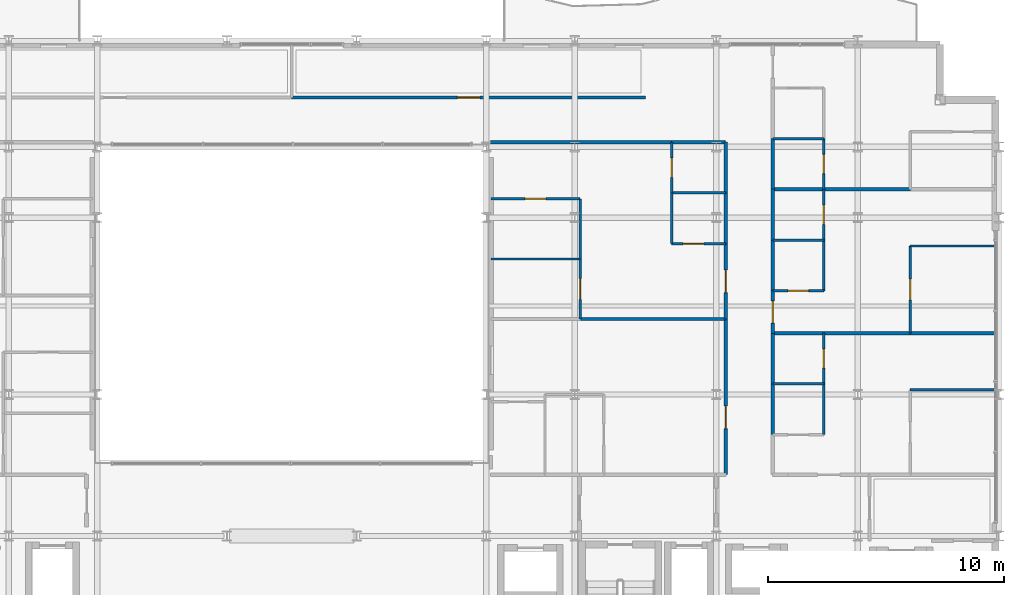
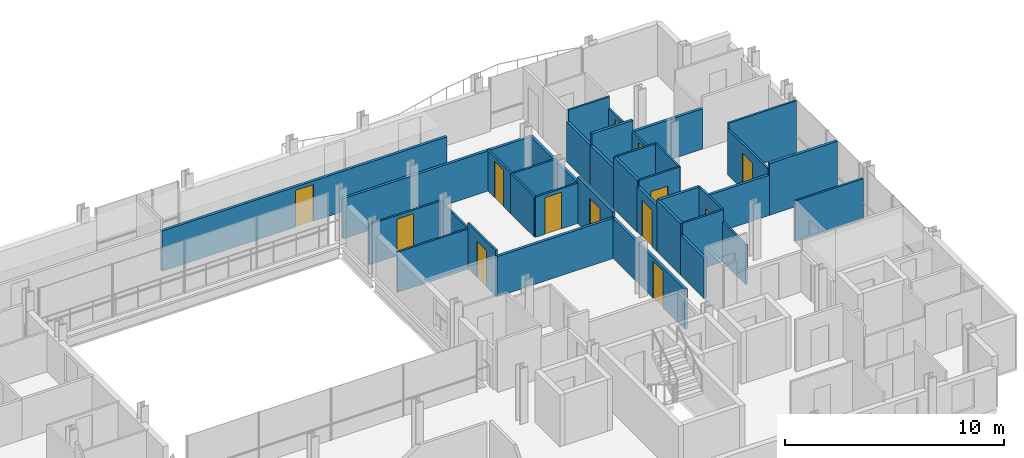
# One storey, part 36 of 41: 39 walls, 13 doors, 13 openings.
"""IFC4 building model written with IfcOpenShell, lengths in metres."""

from ifc_helpers import new_model, si_unit, direction, frame, frame_2d, origin, place, context, subcontext, project, spatial, rectangle, extrude, material, layer, layer_set, type_object, element, fill, save


model = new_model("IFC4")

# Units and contexts
model_context = context("Model", 3, precision=1e-05, world=origin(), true_north=direction((0.0, 1.0)))
body_context = subcontext(model_context, "Body", "Model", "MODEL_VIEW")
ifc_project = project(units=[si_unit("LENGTHUNIT", "METRE"), si_unit("AREAUNIT", "SQUARE_METRE"), si_unit("VOLUMEUNIT", "CUBIC_METRE"), si_unit("PLANEANGLEUNIT", "RADIAN"), si_unit("MASSUNIT", "GRAM", prefix="KILO")], contexts=[model_context])

# Site, building, storey
site_placement = place(None, origin())
site = spatial("IfcSite", under=ifc_project, at=site_placement, CompositionType="ELEMENT")
building_placement = place(site_placement, origin())
building = spatial("IfcBuilding", under=site, at=building_placement, Name="Brevholm Reach", CompositionType="ELEMENT")
storey_placement = place(building_placement, frame((0.0, 0.0, 106.60009765625)))
storey = spatial("IfcBuildingStorey", under=building, at=storey_placement, Name="L31", CompositionType="ELEMENT", Elevation=106.60009765625)

# Wall
ifc_material_1 = material(Name="Moisture-Resistant Acoustic Gypsum Stud Partition 100 mm", Category="gypsum")
ifc_layer_1 = layer(ifc_material_1, 0.10009765625)
ifc_layer_set_1 = layer_set([ifc_layer_1], Name="Moisture-Resistant Acoustic Gypsum Stud Partition 100 mm")
wall_type_1 = type_object("IfcWallType", Name="WAL-PRT-100", PredefinedType="PARTITIONING", material=ifc_layer_set_1)
wall_1_placement = place(storey_placement, frame((46.112060546875, 24.550048828125, 0.0), z_axis=(0.0, 0.0, 1.0), x_axis=(1.0, 0.0, 0.0)))
element("IfcWall", 1, at=wall_1_placement, inside=storey, type_object=wall_type_1, Name="L31 Internal Partition 136", PredefinedType="PARTITIONING", context=body_context, shape_type="SweptSolid", body=[
    extrude(rectangle(XDim=2.283935546875, YDim=0.10009765625, at=frame_2d((1.14208984375, 0.0))), origin(), (0.0, 0.0, 1.0), 2.24267578125),
])

# Wall, opening, door
wall_2_placement = place(storey_placement, frame((46.112060546875, 24.550048828125, 0.0), z_axis=(0.0, 0.0, 1.0), x_axis=(0.0, 1.0, 0.0)))
wall_2 = element("IfcWall", 2, at=wall_2_placement, inside=storey, type_object=wall_type_1, Name="L31 Internal Partition 137", PredefinedType="PARTITIONING", context=body_context, shape_type="SweptSolid", body=[
    extrude(rectangle(XDim=2.14599609375, YDim=0.10009765625, at=frame_2d((1.072998046875, 0.0))), origin(), (0.0, 0.0, 1.0), 2.24267578125),
])
opening_1_placement = place(wall_2_placement, frame((0.6630859375, 0.0, 0.0)))
opening_1 = element("IfcOpeningElement", 3, at=opening_1_placement, cuts=wall_2, Name="Opening ID-03", PredefinedType="OPENING", context=body_context, shape_type="SweptSolid", body=[
    extrude(rectangle(XDim=0.820068359375, YDim=2.02001953125, at=frame_2d((0.41015625, 1.010009765625))), frame((0.0, 0.06005859375, 0.0), z_axis=(0.0, -1.0, 0.0), x_axis=(1.0, 0.0, 0.0)), (0.0, 0.0, 1.0), 0.1201171875),
])
ifc_material_2 = material(Name="Moisture-Resistant Painted Timber Internal Bathroom Door", Category="wood")
door_type_1 = type_object("IfcDoorType", Name="DOR-BATH-820", OperationType="NOTDEFINED", PredefinedType="DOOR", material=ifc_material_2)
door_1_placement = place(opening_1_placement, origin())
door_1 = element("IfcDoor", 4, at=door_1_placement, inside=storey, type_object=door_type_1, Name="L31 Internal Door 052", OperationType="SINGLE_SWING_LEFT", OverallHeight=2.02001953125, OverallWidth=0.820068359375, PredefinedType="DOOR", context=body_context, shape_type="SweptSolid", body=[
    extrude(rectangle(XDim=0.820068359375, YDim=2.02001953125, at=frame_2d((0.41015625, 1.010009765625))), frame((0.0, 0.02490234375, 0.0), z_axis=(0.0, -1.0, 0.0), x_axis=(1.0, 0.0, 0.0)), (0.0, 0.0, 1.0), 0.050048828125),
])
fill(opening_1, door_1)

wall_3_placement = place(storey_placement, frame((46.112060546875, 22.39990234375, 0.0), z_axis=(0.0, 0.0, 1.0), x_axis=(1.0, 0.0, 0.0)))
wall_3 = element("IfcWall", 5, at=wall_3_placement, inside=storey, type_object=wall_type_1, Name="L31 Internal Partition 138", PredefinedType="PARTITIONING", context=body_context, shape_type="SweptSolid", body=[
    extrude(rectangle(XDim=2.283935546875, YDim=0.10009765625, at=frame_2d((1.14208984375, 0.0))), origin(), (0.0, 0.0, 1.0), 2.24267578125),
])
opening_2_placement = place(wall_3_placement, frame((0.48193359375, 0.0, 0.0)))
opening_2 = element("IfcOpeningElement", 6, at=opening_2_placement, cuts=wall_3, Name="Opening ID-01", PredefinedType="OPENING", context=body_context, shape_type="SweptSolid", body=[
    extrude(rectangle(XDim=0.8798828125, YDim=2.0400390625, at=frame_2d((0.43994140625, 1.02001953125))), frame((0.0, 0.06005859375, 0.0), z_axis=(0.0, -1.0, 0.0), x_axis=(1.0, 0.0, 0.0)), (0.0, 0.0, 1.0), 0.1201171875),
])
ifc_material_3 = material(Name="Lacquered Ash Solid-Core Acoustic Internal Door", Category="timber")
door_type_2 = type_object("IfcDoorType", Name="DOR-INT-880", OperationType="NOTDEFINED", PredefinedType="DOOR", material=ifc_material_3)
door_2_placement = place(opening_2_placement, origin())
door_2 = element("IfcDoor", 7, at=door_2_placement, inside=storey, type_object=door_type_2, Name="L31 Internal Door 053", OperationType="SINGLE_SWING_RIGHT", OverallHeight=2.0400390625, OverallWidth=0.8798828125, PredefinedType="DOOR", context=body_context, shape_type="SweptSolid", body=[
    extrude(rectangle(XDim=0.8798828125, YDim=2.0400390625, at=frame_2d((0.43994140625, 1.02001953125))), frame((0.0, 0.02490234375, 0.0), z_axis=(0.0, -1.0, 0.0), x_axis=(1.0, 0.0, 0.0)), (0.0, 0.0, 1.0), 0.050048828125),
])
fill(opening_2, door_2)

# Walls
wall_4_placement = place(storey_placement, frame((46.112060546875, 22.39990234375, 0.0), z_axis=(0.0, 0.0, 1.0), x_axis=(0.0, 1.0, 0.0)))
element("IfcWall", 8, at=wall_4_placement, inside=storey, type_object=wall_type_1, Name="L31 Internal Partition 139", PredefinedType="PARTITIONING", context=body_context, shape_type="SweptSolid", body=[
    extrude(rectangle(XDim=2.14599609375, YDim=0.10009765625, at=frame_2d((1.072998046875, 0.0))), origin(), (0.0, 0.0, 1.0), 2.24267578125),
])
wall_5_placement = place(storey_placement, frame((38.449951171875, 21.75, 0.0), z_axis=(0.0, 0.0, 1.0), x_axis=(1.0, 0.0, 0.0)))
element("IfcWall", 9, at=wall_5_placement, inside=storey, type_object=wall_type_1, Name="L31 Internal Partition 140", PredefinedType="PARTITIONING", context=body_context, shape_type="SweptSolid", body=[
    extrude(rectangle(XDim=3.781005859375, YDim=0.10009765625, at=frame_2d((1.890625, 0.0))), origin(), (0.0, 0.0, 1.0), 2.24267578125),
])

# Wall, opening, door
wall_6_placement = place(storey_placement, frame((42.23095703125, 19.2041015625, 0.0), z_axis=(0.0, 0.0, 1.0), x_axis=(0.0, 1.0, 0.0)))
wall_6 = element("IfcWall", 10, at=wall_6_placement, inside=storey, type_object=wall_type_1, Name="L31 Internal Partition 141", PredefinedType="PARTITIONING", context=body_context, shape_type="SweptSolid", body=[
    extrude(rectangle(XDim=2.5458984375, YDim=0.10009765625, at=frame_2d((1.27294921875, 0.0))), origin(), (0.0, 0.0, 1.0), 2.551513671875),
])
opening_3_placement = place(wall_6_placement, frame((0.8330078125, 0.0, 0.0)))
opening_3 = element("IfcOpeningElement", 11, at=opening_3_placement, cuts=wall_6, Name="Opening ID-01", PredefinedType="OPENING", context=body_context, shape_type="SweptSolid", body=[
    extrude(rectangle(XDim=0.8798828125, YDim=2.0400390625, at=frame_2d((0.43994140625, 1.02001953125))), frame((0.0, 0.06005859375, 0.0), z_axis=(0.0, -1.0, 0.0), x_axis=(1.0, 0.0, 0.0)), (0.0, 0.0, 1.0), 0.1201171875),
])
door_3_placement = place(opening_3_placement, origin())
door_3 = element("IfcDoor", 12, at=door_3_placement, inside=storey, type_object=door_type_2, Name="L31 Internal Door 054", OperationType="SINGLE_SWING_LEFT", OverallHeight=2.0400390625, OverallWidth=0.8798828125, PredefinedType="DOOR", context=body_context, shape_type="SweptSolid", body=[
    extrude(rectangle(XDim=0.8798828125, YDim=2.0400390625, at=frame_2d((0.43994140625, 1.02001953125))), frame((0.0, 0.02490234375, 0.0), z_axis=(0.0, -1.0, 0.0), x_axis=(1.0, 0.0, 0.0)), (0.0, 0.0, 1.0), 0.050048828125),
])
fill(opening_3, door_3)

# Wall
wall_7_placement = place(storey_placement, frame((42.23095703125, 21.75390625, 0.0), z_axis=(0.0, 0.0, 1.0), x_axis=(0.0, 1.0, 0.0)))
element("IfcWall", 13, at=wall_7_placement, inside=storey, type_object=wall_type_1, Name="L31 Internal Partition 142", PredefinedType="PARTITIONING", context=body_context, shape_type="SweptSolid", body=[
    extrude(rectangle(XDim=2.546142578125, YDim=0.10009765625, at=frame_2d((1.27294921875, 0.0))), origin(), (0.0, 0.0, 1.0), 2.24267578125),
])

# Wall, opening, door
wall_8_placement = place(storey_placement, frame((38.449951171875, 24.300048828125, 0.0), z_axis=(0.0, 0.0, 1.0), x_axis=(1.0, 0.0, 0.0)))
wall_8 = element("IfcWall", 14, at=wall_8_placement, inside=storey, type_object=wall_type_1, Name="L31 Internal Partition 143", PredefinedType="PARTITIONING", context=body_context, shape_type="SweptSolid", body=[
    extrude(rectangle(XDim=3.781005859375, YDim=0.10009765625, at=frame_2d((1.890625, 0.0))), origin(), (0.0, 0.0, 1.0), 2.24267578125),
])
opening_4_placement = place(wall_8_placement, frame((1.450439453125, 0.0, 0.0)))
opening_4 = element("IfcOpeningElement", 15, at=opening_4_placement, cuts=wall_8, Name="Opening ID-01", PredefinedType="OPENING", context=body_context, shape_type="SweptSolid", body=[
    extrude(rectangle(XDim=0.8798828125, YDim=2.0400390625, at=frame_2d((0.43994140625, 1.02001953125))), frame((0.0, 0.06005859375, 0.0), z_axis=(0.0, -1.0, 0.0), x_axis=(1.0, 0.0, 0.0)), (0.0, 0.0, 1.0), 0.1201171875),
])
door_4_placement = place(opening_4_placement, origin())
door_4 = element("IfcDoor", 16, at=door_4_placement, inside=storey, type_object=door_type_2, Name="L31 Internal Door 055", OperationType="SINGLE_SWING_RIGHT", OverallHeight=2.0400390625, OverallWidth=0.8798828125, PredefinedType="DOOR", context=body_context, shape_type="SweptSolid", body=[
    extrude(rectangle(XDim=0.8798828125, YDim=2.0400390625, at=frame_2d((0.43994140625, 1.02001953125))), frame((0.0, 0.02490234375, 0.0), z_axis=(0.0, -1.0, 0.0), x_axis=(1.0, 0.0, 0.0)), (0.0, 0.0, 1.0), 0.050048828125),
])
fill(opening_4, door_4)

# Wall
wall_9_placement = place(storey_placement, frame((50.404052734375, 16.449951171875, 0.0), z_axis=(0.0, 0.0, 1.0), x_axis=(1.0, 0.0, 0.0)))
element("IfcWall", 17, at=wall_9_placement, inside=storey, type_object=wall_type_1, Name="L31 Internal Partition 144", PredefinedType="PARTITIONING", context=body_context, shape_type="SweptSolid", body=[
    extrude(rectangle(XDim=2.157958984375, YDim=0.10009765625, at=frame_2d((1.0791015625, 0.0))), origin(), (0.0, 0.0, 1.0), 2.8798828125),
])

# Wall, opening, door
wall_10_placement = place(storey_placement, frame((52.56201171875, 16.449951171875, 0.0), z_axis=(0.0, 0.0, 1.0), x_axis=(0.0, 1.0, 0.0)))
wall_10 = element("IfcWall", 18, at=wall_10_placement, inside=storey, type_object=wall_type_1, Name="L31 Internal Partition 145", PredefinedType="PARTITIONING", context=body_context, shape_type="SweptSolid", body=[
    extrude(rectangle(XDim=2.150146484375, YDim=0.10009765625, at=frame_2d((1.0751953125, 0.0))), origin(), (0.0, 0.0, 1.0), 2.8798828125),
])
opening_5_placement = place(wall_10_placement, frame((0.6650390625, 0.0, 0.0)))
opening_5 = element("IfcOpeningElement", 19, at=opening_5_placement, cuts=wall_10, Name="Opening ID-03", PredefinedType="OPENING", context=body_context, shape_type="SweptSolid", body=[
    extrude(rectangle(XDim=0.820068359375, YDim=2.02001953125, at=frame_2d((0.41015625, 1.010009765625))), frame((0.0, 0.06005859375, 0.0), z_axis=(0.0, -1.0, 0.0), x_axis=(1.0, 0.0, 0.0)), (0.0, 0.0, 1.0), 0.1201171875),
])
door_5_placement = place(opening_5_placement, origin())
door_5 = element("IfcDoor", 20, at=door_5_placement, inside=storey, type_object=door_type_1, Name="L31 Internal Door 056", OperationType="SINGLE_SWING_LEFT", OverallHeight=2.02001953125, OverallWidth=0.820068359375, PredefinedType="DOOR", context=body_context, shape_type="SweptSolid", body=[
    extrude(rectangle(XDim=0.820068359375, YDim=2.02001953125, at=frame_2d((0.41015625, 1.010009765625))), frame((0.0, 0.02490234375, 0.0), z_axis=(0.0, -1.0, 0.0), x_axis=(1.0, 0.0, 0.0)), (0.0, 0.0, 1.0), 0.050048828125),
])
fill(opening_5, door_5)

# Walls
wall_11_placement = place(storey_placement, frame((52.56201171875, 14.300048828125, 0.0), z_axis=(0.0, 0.0, 1.0), x_axis=(0.0, 1.0, 0.0)))
element("IfcWall", 21, at=wall_11_placement, inside=storey, type_object=wall_type_1, Name="L31 Internal Partition 148", PredefinedType="PARTITIONING", context=body_context, shape_type="SweptSolid", body=[
    extrude(rectangle(XDim=2.14599609375, YDim=0.10009765625, at=frame_2d((1.072998046875, 0.0))), origin(), (0.0, 0.0, 1.0), 2.24267578125),
])
wall_12_placement = place(storey_placement, frame((56.22802734375, 16.199951171875, 0.0), z_axis=(0.0, 0.0, 1.0), x_axis=(1.0, 0.0, 0.0)))
element("IfcWall", 22, at=wall_12_placement, inside=storey, type_object=wall_type_1, Name="L31 Internal Partition 149", PredefinedType="PARTITIONING", context=body_context, shape_type="SweptSolid", body=[
    extrude(rectangle(XDim=3.572021484375, YDim=0.10009765625, at=frame_2d((1.7861328125, 0.0))), origin(), (0.0, 0.0, 1.0), 2.24267578125),
])
wall_13_placement = place(storey_placement, frame((50.404052734375, 22.550048828125, 0.0), z_axis=(0.0, 0.0, 1.0), x_axis=(1.0, 0.0, 0.0)))
element("IfcWall", 23, at=wall_13_placement, inside=storey, type_object=wall_type_1, Name="L31 Internal Partition 153", PredefinedType="PARTITIONING", context=body_context, shape_type="SweptSolid", body=[
    extrude(rectangle(XDim=2.157958984375, YDim=0.10009765625, at=frame_2d((1.0791015625, 0.0))), origin(), (0.0, 0.0, 1.0), 2.8798828125),
])

# Wall, opening, door
wall_14_placement = place(storey_placement, frame((52.56201171875, 22.550048828125, 0.0), z_axis=(0.0, 0.0, 1.0), x_axis=(0.0, 1.0, 0.0)))
wall_14 = element("IfcWall", 24, at=wall_14_placement, inside=storey, type_object=wall_type_1, Name="L31 Internal Partition 154", PredefinedType="PARTITIONING", context=body_context, shape_type="SweptSolid", body=[
    extrude(rectangle(XDim=2.14990234375, YDim=0.10009765625, at=frame_2d((1.074951171875, 0.0))), origin(), (0.0, 0.0, 1.0), 2.24267578125),
])
opening_6_placement = place(wall_14_placement, frame((0.6650390625, 0.0, 0.0)))
opening_6 = element("IfcOpeningElement", 25, at=opening_6_placement, cuts=wall_14, Name="Opening ID-03", PredefinedType="OPENING", context=body_context, shape_type="SweptSolid", body=[
    extrude(rectangle(XDim=0.820068359375, YDim=2.02001953125, at=frame_2d((0.41015625, 1.010009765625))), frame((0.0, 0.06005859375, 0.0), z_axis=(0.0, -1.0, 0.0), x_axis=(1.0, 0.0, 0.0)), (0.0, 0.0, 1.0), 0.1201171875),
])
door_6_placement = place(opening_6_placement, origin())
door_6 = element("IfcDoor", 26, at=door_6_placement, inside=storey, type_object=door_type_1, Name="L31 Internal Door 059", OperationType="SINGLE_SWING_RIGHT", OverallHeight=2.02001953125, OverallWidth=0.820068359375, PredefinedType="DOOR", context=body_context, shape_type="SweptSolid", body=[
    extrude(rectangle(XDim=0.820068359375, YDim=2.02001953125, at=frame_2d((0.41015625, 1.010009765625))), frame((0.0, 0.02490234375, 0.0), z_axis=(0.0, -1.0, 0.0), x_axis=(1.0, 0.0, 0.0)), (0.0, 0.0, 1.0), 0.050048828125),
])
fill(opening_6, door_6)

wall_15_placement = place(storey_placement, frame((50.404052734375, 20.39990234375, 0.0), z_axis=(0.0, 0.0, 1.0), x_axis=(1.0, 0.0, 0.0)))
wall_15 = element("IfcWall", 27, at=wall_15_placement, inside=storey, type_object=wall_type_1, Name="L31 Internal Partition 156", PredefinedType="PARTITIONING", context=body_context, shape_type="SweptSolid", body=[
    extrude(rectangle(XDim=2.157958984375, YDim=0.10009765625, at=frame_2d((1.0791015625, 0.0))), origin(), (0.0, 0.0, 1.0), 2.8798828125),
])
opening_7_placement = place(wall_15_placement, frame((0.638916015625, 0.0, 0.0)))
opening_7 = element("IfcOpeningElement", 28, at=opening_7_placement, cuts=wall_15, Name="Opening ID-01", PredefinedType="OPENING", context=body_context, shape_type="SweptSolid", body=[
    extrude(rectangle(XDim=0.8798828125, YDim=2.0400390625, at=frame_2d((0.43994140625, 1.02001953125))), frame((0.0, 0.06005859375, 0.0), z_axis=(0.0, -1.0, 0.0), x_axis=(1.0, 0.0, 0.0)), (0.0, 0.0, 1.0), 0.1201171875),
])
door_7_placement = place(opening_7_placement, origin())
door_7 = element("IfcDoor", 29, at=door_7_placement, inside=storey, type_object=door_type_2, Name="L31 Internal Door 060", OperationType="SINGLE_SWING_LEFT", OverallHeight=2.0400390625, OverallWidth=0.8798828125, PredefinedType="DOOR", context=body_context, shape_type="SweptSolid", body=[
    extrude(rectangle(XDim=0.8798828125, YDim=2.0400390625, at=frame_2d((0.43994140625, 1.02001953125))), frame((0.0, 0.02490234375, 0.0), z_axis=(0.0, -1.0, 0.0), x_axis=(1.0, 0.0, 0.0)), (0.0, 0.0, 1.0), 0.050048828125),
])
fill(opening_7, door_7)

# Walls
wall_16_placement = place(storey_placement, frame((52.56201171875, 20.39990234375, 0.0), z_axis=(0.0, 0.0, 1.0), x_axis=(0.0, 1.0, 0.0)))
element("IfcWall", 30, at=wall_16_placement, inside=storey, type_object=wall_type_1, Name="L31 Internal Partition 157", PredefinedType="PARTITIONING", context=body_context, shape_type="SweptSolid", body=[
    extrude(rectangle(XDim=2.14599609375, YDim=0.10009765625, at=frame_2d((1.072998046875, 0.0))), origin(), (0.0, 0.0, 1.0), 2.8798828125),
])
wall_17_placement = place(storey_placement, frame((56.22802734375, 22.300048828125, 0.0), z_axis=(0.0, 0.0, 1.0), x_axis=(1.0, 0.0, 0.0)))
element("IfcWall", 31, at=wall_17_placement, inside=storey, type_object=wall_type_1, Name="L31 Internal Partition 158", PredefinedType="PARTITIONING", context=body_context, shape_type="SweptSolid", body=[
    extrude(rectangle(XDim=3.572021484375, YDim=0.10009765625, at=frame_2d((1.7861328125, 0.0))), origin(), (0.0, 0.0, 1.0), 2.8798828125),
])

# Wall, opening, door
wall_18_placement = place(storey_placement, frame((56.22802734375, 18.60400390625, 0.0), z_axis=(0.0, 0.0, 1.0), x_axis=(0.0, 1.0, 0.0)))
wall_18 = element("IfcWall", 32, at=wall_18_placement, inside=storey, type_object=wall_type_1, Name="L31 Internal Partition 159", PredefinedType="PARTITIONING", context=body_context, shape_type="SweptSolid", body=[
    extrude(rectangle(XDim=3.696044921875, YDim=0.10009765625, at=frame_2d((1.84814453125, 0.0))), origin(), (0.0, 0.0, 1.0), 2.551513671875),
])
opening_8_placement = place(wall_18_placement, frame((1.407958984375, 0.0, 0.0)))
opening_8 = element("IfcOpeningElement", 33, at=opening_8_placement, cuts=wall_18, Name="Opening ID-01", PredefinedType="OPENING", context=body_context, shape_type="SweptSolid", body=[
    extrude(rectangle(XDim=0.8798828125, YDim=2.0400390625, at=frame_2d((0.43994140625, 1.02001953125))), frame((0.0, 0.06005859375, 0.0), z_axis=(0.0, -1.0, 0.0), x_axis=(1.0, 0.0, 0.0)), (0.0, 0.0, 1.0), 0.1201171875),
])
door_8_placement = place(opening_8_placement, origin())
door_8 = element("IfcDoor", 34, at=door_8_placement, inside=storey, type_object=door_type_2, Name="L31 Internal Door 061", OperationType="SINGLE_SWING_RIGHT", OverallHeight=2.0400390625, OverallWidth=0.8798828125, PredefinedType="DOOR", context=body_context, shape_type="SweptSolid", body=[
    extrude(rectangle(XDim=0.8798828125, YDim=2.0400390625, at=frame_2d((0.43994140625, 1.02001953125))), frame((0.0, 0.02490234375, 0.0), z_axis=(0.0, -1.0, 0.0), x_axis=(1.0, 0.0, 0.0)), (0.0, 0.0, 1.0), 0.050048828125),
])
fill(opening_8, door_8)

# Wall
wall_19_placement = place(storey_placement, frame((50.404052734375, 26.85009765625, 0.0), z_axis=(0.0, 0.0, 1.0), x_axis=(1.0, 0.0, 0.0)))
element("IfcWall", 35, at=wall_19_placement, inside=storey, type_object=wall_type_1, Name="L31 Internal Partition 162", PredefinedType="PARTITIONING", context=body_context, shape_type="SweptSolid", body=[
    extrude(rectangle(XDim=2.157958984375, YDim=0.10009765625, at=frame_2d((1.0791015625, 0.0))), origin(), (0.0, 0.0, 1.0), 2.8798828125),
])

# Wall, opening, door
wall_20_placement = place(storey_placement, frame((52.56201171875, 24.7041015625, 0.0), z_axis=(0.0, 0.0, 1.0), x_axis=(0.0, 1.0, 0.0)))
wall_20 = element("IfcWall", 36, at=wall_20_placement, inside=storey, type_object=wall_type_1, Name="L31 Internal Partition 163", PredefinedType="PARTITIONING", context=body_context, shape_type="SweptSolid", body=[
    extrude(rectangle(XDim=2.14599609375, YDim=0.10009765625, at=frame_2d((1.072998046875, 0.0))), origin(), (0.0, 0.0, 1.0), 2.24267578125),
])
opening_9_placement = place(wall_20_placement, frame((0.6630859375, 0.0, 0.0)))
opening_9 = element("IfcOpeningElement", 37, at=opening_9_placement, cuts=wall_20, Name="Opening ID-03", PredefinedType="OPENING", context=body_context, shape_type="SweptSolid", body=[
    extrude(rectangle(XDim=0.820068359375, YDim=2.02001953125, at=frame_2d((0.41015625, 1.010009765625))), frame((0.0, 0.06005859375, 0.0), z_axis=(0.0, -1.0, 0.0), x_axis=(1.0, 0.0, 0.0)), (0.0, 0.0, 1.0), 0.1201171875),
])
door_9_placement = place(opening_9_placement, origin())
door_9 = element("IfcDoor", 38, at=door_9_placement, inside=storey, type_object=door_type_1, Name="L31 Internal Door 062", OperationType="SINGLE_SWING_LEFT", OverallHeight=2.02001953125, OverallWidth=0.820068359375, PredefinedType="DOOR", context=body_context, shape_type="SweptSolid", body=[
    extrude(rectangle(XDim=0.820068359375, YDim=2.02001953125, at=frame_2d((0.41015625, 1.010009765625))), frame((0.0, 0.02490234375, 0.0), z_axis=(0.0, -1.0, 0.0), x_axis=(1.0, 0.0, 0.0)), (0.0, 0.0, 1.0), 0.050048828125),
])
fill(opening_9, door_9)

ifc_material_4 = material(Name="Twin-Stud Acoustic Fire-Rated Gypsum Partition 140 mm", Category="gypsum")
ifc_layer_2 = layer(ifc_material_4, 0.139892578125)
ifc_layer_set_2 = layer_set([ifc_layer_2], Name="Twin-Stud Acoustic Fire-Rated Gypsum Partition 140 mm")
wall_type_2 = type_object("IfcWallType", Name="WAL-PRT-140", PredefinedType="PARTITIONING", material=ifc_layer_set_2)
wall_21_placement = place(storey_placement, frame((48.39990234375, 12.60400390625, 0.0), z_axis=(0.0, 0.0, 1.0), x_axis=(0.0, 1.0, 0.0)))
wall_21 = element("IfcWall", 39, at=wall_21_placement, inside=storey, type_object=wall_type_2, Name="L31 Internal Partition 048", PredefinedType="PARTITIONING", context=body_context, shape_type="SweptSolid", body=[
    extrude(rectangle(XDim=6.607177734375, YDim=0.139892578125, at=frame_2d((3.3037109375, 0.0))), origin(), (0.0, 0.0, 1.0), 2.24267578125),
])
opening_10_placement = place(wall_21_placement, frame((1.94873046875, 0.0, 0.0)))
opening_10 = element("IfcOpeningElement", 40, at=opening_10_placement, cuts=wall_21, Name="Opening ID-30", PredefinedType="OPENING", context=body_context, shape_type="SweptSolid", body=[
    extrude(rectangle(XDim=0.949951171875, YDim=2.050048828125, at=frame_2d((0.47509765625, 1.02490234375))), frame((0.0, 0.079833984375, 0.0), z_axis=(0.0, -1.0, 0.0), x_axis=(1.0, 0.0, 0.0)), (0.0, 0.0, 1.0), 0.159912109375),
])
ifc_material_5 = material(Name="European Oak Veneered Solid-Core Fire Entrance Door", Category="timber")
door_type_3 = type_object("IfcDoorType", Name="DOR-FLT-FD30S", OperationType="NOTDEFINED", PredefinedType="DOOR", material=ifc_material_5)
door_10_placement = place(opening_10_placement, origin())
door_10 = element("IfcDoor", 41, at=door_10_placement, inside=storey, type_object=door_type_3, Name="L31 Internal Door 022", OperationType="SINGLE_SWING_LEFT", OverallHeight=2.050048828125, OverallWidth=0.949951171875, PredefinedType="DOOR", context=body_context, shape_type="SweptSolid", body=[
    extrude(rectangle(XDim=0.949951171875, YDim=2.050048828125, at=frame_2d((0.47509765625, 1.02490234375))), frame((0.0, 0.02490234375, 0.0), z_axis=(0.0, -1.0, 0.0), x_axis=(1.0, 0.0, 0.0)), (0.0, 0.0, 1.0), 0.050048828125),
])
fill(opening_10, door_10)

# Walls
wall_22_placement = place(storey_placement, frame((48.39990234375, 24.538818359375, 0.0), z_axis=(0.0, 0.0, 1.0), x_axis=(0.0, 1.0, 0.0)))
element("IfcWall", 42, at=wall_22_placement, inside=storey, type_object=wall_type_2, Name="L31 Internal Partition 049", PredefinedType="PARTITIONING", context=body_context, shape_type="SweptSolid", body=[
    extrude(rectangle(XDim=2.16845703125, YDim=0.139892578125, at=frame_2d((1.084228515625, 0.0))), origin(), (0.0, 0.0, 1.0), 2.24267578125),
])
wall_23_placement = place(storey_placement, frame((48.39990234375, 22.388671875, 0.0), z_axis=(0.0, 0.0, 1.0), x_axis=(0.0, 1.0, 0.0)))
element("IfcWall", 43, at=wall_23_placement, inside=storey, type_object=wall_type_2, Name="L31 Internal Partition 050", PredefinedType="PARTITIONING", context=body_context, shape_type="SweptSolid", body=[
    extrude(rectangle(XDim=2.168701171875, YDim=0.139892578125, at=frame_2d((1.08447265625, 0.0))), origin(), (0.0, 0.0, 1.0), 2.24267578125),
])

# Wall, opening, door
wall_24_placement = place(storey_placement, frame((48.39990234375, 19.192626953125, 0.0), z_axis=(0.0, 0.0, 1.0), x_axis=(0.0, 1.0, 0.0)))
wall_24 = element("IfcWall", 44, at=wall_24_placement, inside=storey, type_object=wall_type_2, Name="L31 Internal Partition 051", PredefinedType="PARTITIONING", context=body_context, shape_type="SweptSolid", body=[
    extrude(rectangle(XDim=3.214599609375, YDim=0.139892578125, at=frame_2d((1.607421875, 0.0))), origin(), (0.0, 0.0, 1.0), 2.551513671875),
])
opening_11_placement = place(wall_24_placement, frame((1.13232421875, 0.0, 0.0)))
opening_11 = element("IfcOpeningElement", 45, at=opening_11_placement, cuts=wall_24, Name="Opening ID-30", PredefinedType="OPENING", context=body_context, shape_type="SweptSolid", body=[
    extrude(rectangle(XDim=0.949951171875, YDim=2.050048828125, at=frame_2d((0.47509765625, 1.02490234375))), frame((0.0, 0.079833984375, 0.0), z_axis=(0.0, -1.0, 0.0), x_axis=(1.0, 0.0, 0.0)), (0.0, 0.0, 1.0), 0.159912109375),
])
door_11_placement = place(opening_11_placement, origin())
door_11 = element("IfcDoor", 46, at=door_11_placement, inside=storey, type_object=door_type_3, Name="L31 Internal Door 023", OperationType="SINGLE_SWING_RIGHT", OverallHeight=2.050048828125, OverallWidth=0.949951171875, PredefinedType="DOOR", context=body_context, shape_type="SweptSolid", body=[
    extrude(rectangle(XDim=0.949951171875, YDim=2.050048828125, at=frame_2d((0.47509765625, 1.02490234375))), frame((0.0, 0.02490234375, 0.0), z_axis=(0.0, -1.0, 0.0), x_axis=(1.0, 0.0, 0.0)), (0.0, 0.0, 1.0), 0.050048828125),
])
fill(opening_11, door_11)

# Walls
wall_25_placement = place(storey_placement, frame((50.39990234375, 16.438720703125, 0.0), z_axis=(0.0, 0.0, 1.0), x_axis=(0.0, 1.0, 0.0)))
element("IfcWall", 47, at=wall_25_placement, inside=storey, type_object=wall_type_2, Name="L31 Internal Partition 052", PredefinedType="PARTITIONING", context=body_context, shape_type="SweptSolid", body=[
    extrude(rectangle(XDim=2.172607421875, YDim=0.139892578125, at=frame_2d((1.08642578125, 0.0))), origin(), (0.0, 0.0, 1.0), 2.8798828125),
])
wall_26_placement = place(storey_placement, frame((50.39990234375, 14.288818359375, 0.0), z_axis=(0.0, 0.0, 1.0), x_axis=(0.0, 1.0, 0.0)))
element("IfcWall", 48, at=wall_26_placement, inside=storey, type_object=wall_type_2, Name="L31 Internal Partition 053", PredefinedType="PARTITIONING", context=body_context, shape_type="SweptSolid", body=[
    extrude(rectangle(XDim=2.16845703125, YDim=0.139892578125, at=frame_2d((1.084228515625, 0.0))), origin(), (0.0, 0.0, 1.0), 2.24267578125),
])
wall_27_placement = place(storey_placement, frame((50.39990234375, 22.538818359375, 0.0), z_axis=(0.0, 0.0, 1.0), x_axis=(0.0, 1.0, 0.0)))
element("IfcWall", 49, at=wall_27_placement, inside=storey, type_object=wall_type_2, Name="L31 Internal Partition 055", PredefinedType="PARTITIONING", context=body_context, shape_type="SweptSolid", body=[
    extrude(rectangle(XDim=2.17236328125, YDim=0.139892578125, at=frame_2d((1.086181640625, 0.0))), origin(), (0.0, 0.0, 1.0), 2.24267578125),
])
wall_28_placement = place(storey_placement, frame((50.39990234375, 20.388671875, 0.0), z_axis=(0.0, 0.0, 1.0), x_axis=(0.0, 1.0, 0.0)))
element("IfcWall", 50, at=wall_28_placement, inside=storey, type_object=wall_type_2, Name="L31 Internal Partition 056", PredefinedType="PARTITIONING", context=body_context, shape_type="SweptSolid", body=[
    extrude(rectangle(XDim=2.168701171875, YDim=0.139892578125, at=frame_2d((1.08447265625, 0.0))), origin(), (0.0, 0.0, 1.0), 2.8798828125),
])

# Wall, opening, door
wall_29_placement = place(storey_placement, frame((50.39990234375, 18.5927734375, 0.0), z_axis=(0.0, 0.0, 1.0), x_axis=(0.0, 1.0, 0.0)))
wall_29 = element("IfcWall", 51, at=wall_29_placement, inside=storey, type_object=wall_type_2, Name="L31 Internal Partition 057", PredefinedType="PARTITIONING", context=body_context, shape_type="SweptSolid", body=[
    extrude(rectangle(XDim=1.814453125, YDim=0.139892578125, at=frame_2d((0.9072265625, 0.0))), origin(), (0.0, 0.0, 1.0), 2.551513671875),
])
opening_12_placement = place(wall_29_placement, frame((0.432373046875, 0.0, 0.0)))
opening_12 = element("IfcOpeningElement", 52, at=opening_12_placement, cuts=wall_29, Name="Opening ID-30", PredefinedType="OPENING", context=body_context, shape_type="SweptSolid", body=[
    extrude(rectangle(XDim=0.949951171875, YDim=2.050048828125, at=frame_2d((0.47509765625, 1.02490234375))), frame((0.0, 0.079833984375, 0.0), z_axis=(0.0, -1.0, 0.0), x_axis=(1.0, 0.0, 0.0)), (0.0, 0.0, 1.0), 0.159912109375),
])
door_12_placement = place(opening_12_placement, origin())
door_12 = element("IfcDoor", 53, at=door_12_placement, inside=storey, type_object=door_type_3, Name="L31 Internal Door 024", OperationType="SINGLE_SWING_LEFT", OverallHeight=2.050048828125, OverallWidth=0.949951171875, PredefinedType="DOOR", context=body_context, shape_type="SweptSolid", body=[
    extrude(rectangle(XDim=0.949951171875, YDim=2.050048828125, at=frame_2d((0.47509765625, 1.02490234375))), frame((0.0, 0.02490234375, 0.0), z_axis=(0.0, -1.0, 0.0), x_axis=(1.0, 0.0, 0.0)), (0.0, 0.0, 1.0), 0.050048828125),
])
fill(opening_12, door_12)

# Walls
wall_30_placement = place(storey_placement, frame((50.39990234375, 24.692626953125, 0.0), z_axis=(0.0, 0.0, 1.0), x_axis=(0.0, 1.0, 0.0)))
element("IfcWall", 54, at=wall_30_placement, inside=storey, type_object=wall_type_2, Name="L31 Internal Partition 058", PredefinedType="PARTITIONING", context=body_context, shape_type="SweptSolid", body=[
    extrude(rectangle(XDim=2.168701171875, YDim=0.139892578125, at=frame_2d((1.08447265625, 0.0))), origin(), (0.0, 0.0, 1.0), 2.24267578125),
])
wall_31_placement = place(storey_placement, frame((46.1005859375, 26.699951171875, 0.0), z_axis=(0.0, 0.0, 1.0), x_axis=(1.0, 0.0, 0.0)))
element("IfcWall", 55, at=wall_31_placement, inside=storey, type_object=wall_type_2, Name="L31 Internal Partition 063", PredefinedType="PARTITIONING", context=body_context, shape_type="SweptSolid", body=[
    extrude(rectangle(XDim=2.29541015625, YDim=0.139892578125, at=frame_2d((1.147705078125, 0.0))), origin(), (0.0, 0.0, 1.0), 2.24267578125),
])
wall_32_placement = place(storey_placement, frame((38.438720703125, 26.699951171875, 0.0), z_axis=(0.0, 0.0, 1.0), x_axis=(1.0, 0.0, 0.0)))
element("IfcWall", 56, at=wall_32_placement, inside=storey, type_object=wall_type_2, Name="L31 Internal Partition 064", PredefinedType="PARTITIONING", context=body_context, shape_type="SweptSolid", body=[
    extrude(rectangle(XDim=7.6806640625, YDim=0.139892578125, at=frame_2d((3.84033203125, 0.0))), origin(), (0.0, 0.0, 1.0), 2.24267578125),
])

# Wall, opening, door
wall_33_placement = place(storey_placement, frame((29.99267578125, 28.60009765625, 0.0), z_axis=(0.0, 0.0, 1.0), x_axis=(1.0, 0.0, 0.0)))
wall_33 = element("IfcWall", 57, at=wall_33_placement, inside=storey, type_object=wall_type_2, Name="L31 Internal Partition 066", PredefinedType="PARTITIONING", context=body_context, shape_type="SweptSolid", body=[
    extrude(rectangle(XDim=15.0185546875, YDim=0.139892578125, at=frame_2d((7.50927734375, 0.0))), origin(), (0.0, 0.0, 1.0), 2.24267578125),
])
opening_13_placement = place(wall_33_placement, frame((7.0341796875, 0.0, 0.0)))
opening_13 = element("IfcOpeningElement", 58, at=opening_13_placement, cuts=wall_33, Name="Opening ID-30", PredefinedType="OPENING", context=body_context, shape_type="SweptSolid", body=[
    extrude(rectangle(XDim=0.949951171875, YDim=2.050048828125, at=frame_2d((0.47509765625, 1.02490234375))), frame((0.0, 0.079833984375, 0.0), z_axis=(0.0, -1.0, 0.0), x_axis=(1.0, 0.0, 0.0)), (0.0, 0.0, 1.0), 0.159912109375),
])
door_13_placement = place(opening_13_placement, origin())
door_13 = element("IfcDoor", 59, at=door_13_placement, inside=storey, type_object=door_type_3, Name="L31 Internal Door 027", OperationType="SINGLE_SWING_RIGHT", OverallHeight=2.050048828125, OverallWidth=0.949951171875, PredefinedType="DOOR", context=body_context, shape_type="SweptSolid", body=[
    extrude(rectangle(XDim=0.949951171875, YDim=2.050048828125, at=frame_2d((0.47509765625, 1.02490234375))), frame((0.0, 0.02490234375, 0.0), z_axis=(0.0, -1.0, 0.0), x_axis=(1.0, 0.0, 0.0)), (0.0, 0.0, 1.0), 0.050048828125),
])
fill(opening_13, door_13)

# Walls
wall_34_placement = place(storey_placement, frame((42.2236328125, 19.199951171875, 0.0), z_axis=(0.0, 0.0, 1.0), x_axis=(1.0, 0.0, 0.0)))
element("IfcWall", 60, at=wall_34_placement, inside=storey, type_object=wall_type_2, Name="L31 Internal Partition 135", PredefinedType="PARTITIONING", context=body_context, shape_type="SweptSolid", body=[
    extrude(rectangle(XDim=6.17236328125, YDim=0.139892578125, at=frame_2d((3.086181640625, 0.0))), origin(), (0.0, 0.0, 1.0), 2.24267578125),
])
wall_35_placement = place(storey_placement, frame((50.404052734375, 18.60009765625, 0.0), z_axis=(0.0, 0.0, 1.0), x_axis=(1.0, 0.0, 0.0)))
element("IfcWall", 61, at=wall_35_placement, inside=storey, type_object=wall_type_2, Name="L31 Internal Partition 146", PredefinedType="PARTITIONING", context=body_context, shape_type="SweptSolid", body=[
    extrude(rectangle(XDim=2.157958984375, YDim=0.139892578125, at=frame_2d((1.0791015625, 0.0))), origin(), (0.0, 0.0, 1.0), 2.8798828125),
])
wall_36_placement = place(storey_placement, frame((56.216796875, 18.60009765625, 0.0), z_axis=(0.0, 0.0, 1.0), x_axis=(1.0, 0.0, 0.0)))
element("IfcWall", 62, at=wall_36_placement, inside=storey, type_object=wall_type_2, Name="L31 Internal Partition 151", PredefinedType="PARTITIONING", context=body_context, shape_type="SweptSolid", body=[
    extrude(rectangle(XDim=3.583251953125, YDim=0.139892578125, at=frame_2d((1.79150390625, 0.0))), origin(), (0.0, 0.0, 1.0), 2.8798828125),
])
wall_37_placement = place(storey_placement, frame((52.56591796875, 18.60009765625, 0.0), z_axis=(0.0, 0.0, 1.0), x_axis=(1.0, 0.0, 0.0)))
element("IfcWall", 63, at=wall_37_placement, inside=storey, type_object=wall_type_2, Name="L31 Internal Partition 152", PredefinedType="PARTITIONING", context=body_context, shape_type="SweptSolid", body=[
    extrude(rectangle(XDim=3.66943359375, YDim=0.139892578125, at=frame_2d((1.834716796875, 0.0))), origin(), (0.0, 0.0, 1.0), 2.24267578125),
])
wall_38_placement = place(storey_placement, frame((50.404052734375, 24.699951171875, 0.0), z_axis=(0.0, 0.0, 1.0), x_axis=(1.0, 0.0, 0.0)))
element("IfcWall", 64, at=wall_38_placement, inside=storey, type_object=wall_type_2, Name="L31 Internal Partition 155", PredefinedType="PARTITIONING", context=body_context, shape_type="SweptSolid", body=[
    extrude(rectangle(XDim=2.157958984375, YDim=0.139892578125, at=frame_2d((1.0791015625, 0.0))), origin(), (0.0, 0.0, 1.0), 2.8798828125),
])
wall_39_placement = place(storey_placement, frame((52.56591796875, 24.699951171875, 0.0), z_axis=(0.0, 0.0, 1.0), x_axis=(1.0, 0.0, 0.0)))
element("IfcWall", 65, at=wall_39_placement, inside=storey, type_object=wall_type_2, Name="L31 Internal Partition 161", PredefinedType="PARTITIONING", context=body_context, shape_type="SweptSolid", body=[
    extrude(rectangle(XDim=3.66943359375, YDim=0.139892578125, at=frame_2d((1.834716796875, 0.0))), origin(), (0.0, 0.0, 1.0), 2.24267578125),
])

save(model, "model.ifc")
